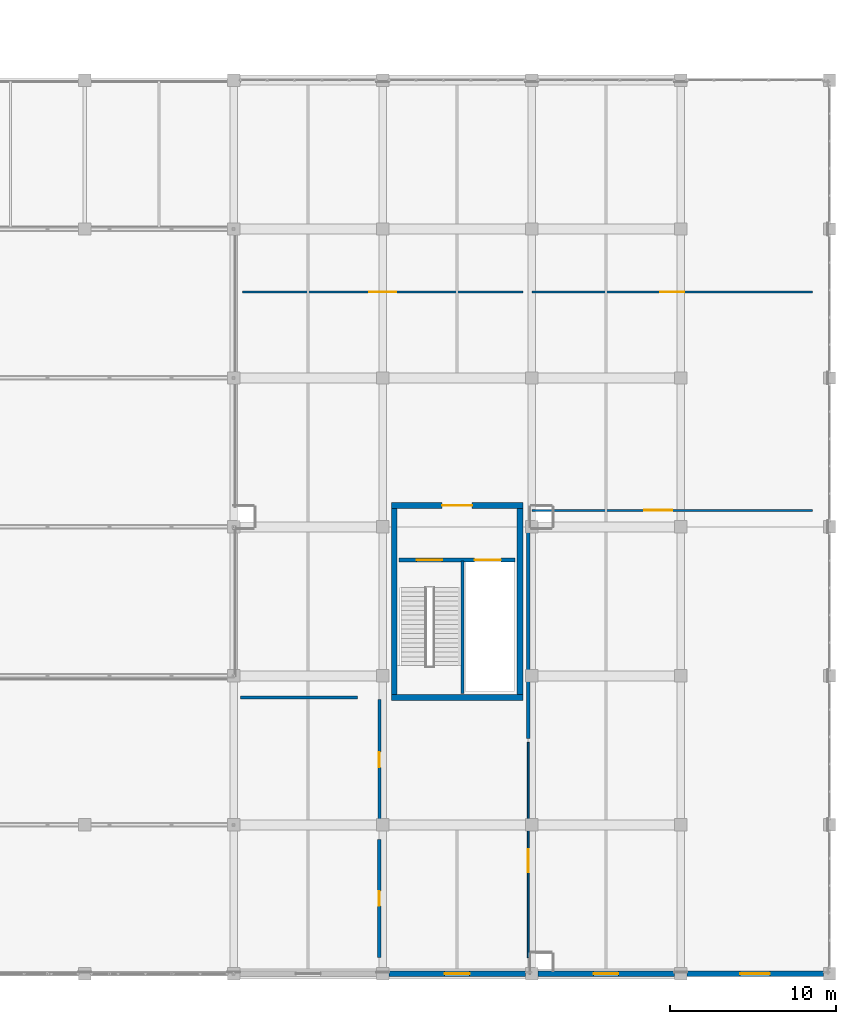
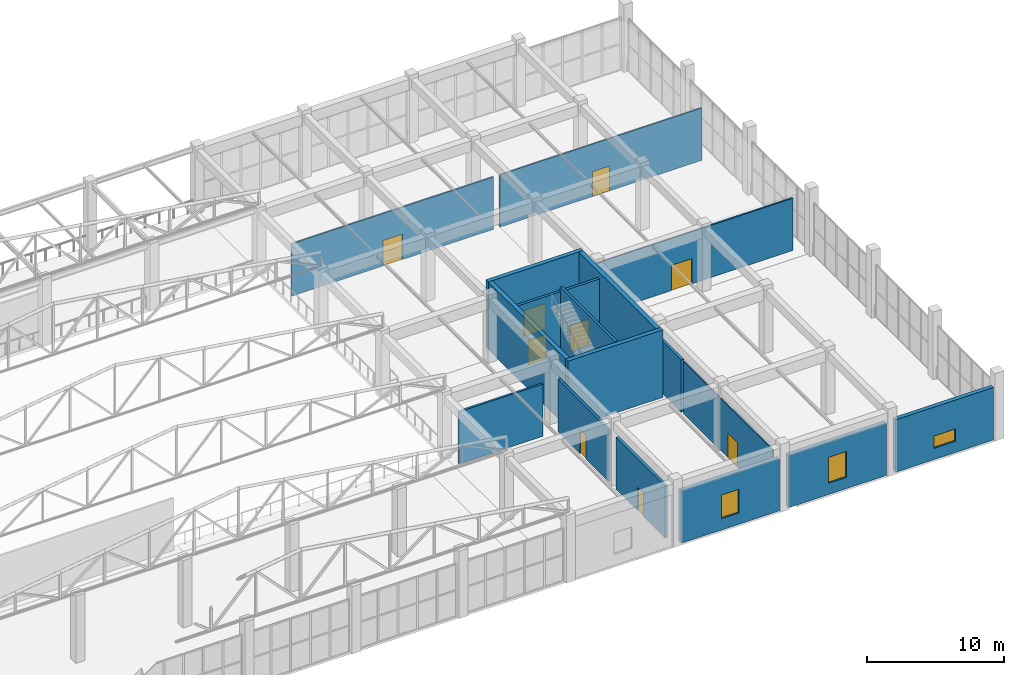
# One storey, part 193 of 223: 17 walls, 9 doors, 3 windows, 12 openings.
"""IFC4 building model written with IfcOpenShell, lengths in metres."""

import ifcopenshell
import ifcopenshell.guid

model = None  # the IFC model being written
_history = None  # IfcOwnerHistory: only IFC2X3 demands one
_inside = {}  # id of a spatial element -> (the spatial element, [elements in it])
_under = {}  # id of a project, library or spatial element -> (it, [spatial elements below it])
_declared = {}  # id of a project -> (the project, [libraries it declares])
_typed = {}  # id of a type object -> (the type object, [elements of that type])
_made_of = {}  # id of a material, layer set ... -> (it, [elements and type objects made of it])


def new_model(schema):
    """Start an empty IFC model of exactly this schema.

    Asked for "IFC4X3", IfcOpenShell would pick the latest addendum, in which some entities
    have other attributes; the version numbers below select the first issue.
    IFC2X3 requires an IfcOwnerHistory on every rooted entity: one is made here for all.
    """
    global model, _history
    if schema == "IFC4X3":
        model = ifcopenshell.file(schema_version=(4, 3, 0, 0))
    else:
        model = ifcopenshell.file(schema=schema)
    _inside.clear()
    _under.clear()
    _declared.clear()
    _typed.clear()
    _made_of.clear()
    _history = None
    if model.schema == "IFC2X3":
        org = make("IfcOrganization", Name="unknown")
        user = make(
            "IfcPersonAndOrganization",
            ThePerson=make("IfcPerson", FamilyName="unknown"),
            TheOrganization=org,
        )
        app = make(
            "IfcApplication",
            ApplicationDeveloper=org,
            Version="unknown",
            ApplicationFullName="unknown",
            ApplicationIdentifier="unknown",
        )
        _history = make(
            "IfcOwnerHistory",
            OwningUser=user,
            OwningApplication=app,
            ChangeAction="ADDED",
            CreationDate=0,
        )
    return model


def make(cls, **values):
    """One entity of the class cls with the attributes given. An attribute that is None is left unset."""
    return model.create_entity(
        cls, **{name: value for name, value in values.items() if value is not None}
    )


def rooted(cls, **values):
    """An entity with a GlobalId (a new one), such as an element, a storey or a relation."""
    return make(cls, GlobalId=ifcopenshell.guid.new(), OwnerHistory=_history, **values)


def si_unit(unit_type, name, prefix=None):
    """IfcSIUnit, for example si_unit("LENGTHUNIT", "METRE", prefix="MILLI")."""
    return make("IfcSIUnit", UnitType=unit_type, Prefix=prefix, Name=name)


def assignment(units):
    """IfcUnitAssignment: the units of a project."""
    return None if units is None else make("IfcUnitAssignment", Units=units)


def point(xyz):
    """IfcCartesianPoint."""
    return None if xyz is None else make("IfcCartesianPoint", Coordinates=xyz)


def direction(xyz):
    """IfcDirection."""
    return None if xyz is None else make("IfcDirection", DirectionRatios=xyz)


def frame(location, z_axis=None, x_axis=None):
    """IfcAxis2Placement3D, a coordinate frame: its origin and axes. An axis left out is left unset."""
    return make(
        "IfcAxis2Placement3D",
        Location=point(location),
        Axis=direction(z_axis),
        RefDirection=direction(x_axis),
    )


def frame_2d(location, x_axis=None):
    """IfcAxis2Placement2D, a coordinate frame in the plane: its origin and x axis."""
    return make(
        "IfcAxis2Placement2D", Location=point(location), RefDirection=direction(x_axis)
    )


def origin():
    """The frame at (0, 0, 0) with its axes left unset."""
    return frame((0.0, 0.0, 0.0))


def place(relative_to, where):
    """IfcLocalPlacement: puts the frame where relative to a parent placement (None: the world)."""
    return make(
        "IfcLocalPlacement", PlacementRelTo=relative_to, RelativePlacement=where
    )


def context(
    kind, dimensions, precision=None, world=None, true_north=None, identifier=None
):
    """IfcGeometricRepresentationContext, for example the 3D "Model" context."""
    return make(
        "IfcGeometricRepresentationContext",
        ContextIdentifier=identifier,
        ContextType=kind,
        CoordinateSpaceDimension=dimensions,
        Precision=precision,
        WorldCoordinateSystem=world,
        TrueNorth=true_north,
    )


def subcontext(parent, identifier, kind, view, scale=None):
    """IfcGeometricRepresentationSubContext, for example "Body" below "Model"."""
    return make(
        "IfcGeometricRepresentationSubContext",
        ContextIdentifier=identifier,
        ContextType=kind,
        ParentContext=parent,
        TargetScale=scale,
        TargetView=view,
    )


def project(units=None, contexts=None):
    """IfcProject with its units and contexts."""
    return rooted(
        "IfcProject",
        Name="project",
        RepresentationContexts=contexts,
        UnitsInContext=assignment(units),
    )


def spatial(cls, under=None, at=None, **own):
    """A site, building, storey or space (cls), placed at a placement, below another one or the project."""
    s = rooted(cls, ObjectPlacement=at, **own)
    if under is not None:
        _under.setdefault(under.id(), (under, []))[1].append(s)
    return s


def profile(cls, at=None, kind="AREA", **sizes):
    """A parametric profile (cls). Its sizes go by their IFC names, for example OverallWidth=200.0."""
    return make(cls, ProfileType=kind, Position=at, **sizes)


def rectangle(**sizes):
    """IfcRectangleProfileDef."""
    return profile("IfcRectangleProfileDef", **sizes)


def extrude(swept, where, along, depth):
    """IfcExtrudedAreaSolid: the profile swept, set in the frame where, extruded along a direction by depth."""
    return make(
        "IfcExtrudedAreaSolid",
        SweptArea=swept,
        Position=where,
        ExtrudedDirection=direction(along),
        Depth=depth,
    )


def shape(context_of_items, identifier, shape_type, items):
    """IfcShapeRepresentation: the items that make up one representation, for example the "Body"."""
    return make(
        "IfcShapeRepresentation",
        ContextOfItems=context_of_items,
        RepresentationIdentifier=identifier,
        RepresentationType=shape_type,
        Items=items,
    )


def material(Name=None, Category=None):
    """IfcMaterial."""
    return make("IfcMaterial", Name=Name, Category=Category)


def layer(
    of_material, thickness, ventilated=None, Name=None, Category=None, Priority=None
):
    """IfcMaterialLayer: one layer of a wall or slab, of a material (None: an air gap)."""
    return make(
        "IfcMaterialLayer",
        Material=of_material,
        LayerThickness=thickness,
        IsVentilated=ventilated,
        Name=Name,
        Category=Category,
        Priority=Priority,
    )


def layer_set(layers, Name=None):
    """IfcMaterialLayerSet."""
    return make("IfcMaterialLayerSet", MaterialLayers=layers, LayerSetName=Name)


def made_of(thing, what):
    """Note that an element or type object is made of a material, layer set ...; save() writes the relation."""
    if what is not None:
        _made_of.setdefault(what.id(), (what, []))[1].append(thing)
    return thing


def type_object(cls, material=None, **own):
    """A type object (cls), such as IfcWallType, which elements share."""
    return made_of(rooted(cls, **own), material)


def element(
    cls,
    number,
    at=None,
    inside=None,
    cuts=None,
    type_object=None,
    material=None,
    context=None,
    identifier="Body",
    shape_type=None,
    held_by="IfcProductDefinitionShape",
    body=None,
    shapes=None,
    **own,
):
    """One element of the class cls, such as IfcWall. Its Tag is "e" and its number.

    at: its placement. inside: the storey or other place that contains it. cuts: it is an
    opening in that element (IfcRelVoidsElement). A single representation is given by context,
    identifier, shape_type and body (its items); several are given by shapes. held_by: the class
    of the entity that holds the representations. save() writes the other relations.
    """
    e = rooted(cls, Tag="e%d" % number, ObjectPlacement=at, **own)
    if body is not None:
        shapes = [shape(context, identifier, shape_type, body)]
    if shapes is not None:
        e.Representation = make(held_by, Representations=shapes)
    if inside is not None:
        _inside.setdefault(inside.id(), (inside, []))[1].append(e)
    if cuts is not None:
        rooted(
            "IfcRelVoidsElement", RelatingBuildingElement=cuts, RelatedOpeningElement=e
        )
    if type_object is not None:
        _typed.setdefault(type_object.id(), (type_object, []))[1].append(e)
    return made_of(e, material)


def fill(opening, filler):
    """IfcRelFillsElement: the door or window that sits in an opening."""
    return rooted(
        "IfcRelFillsElement",
        RelatingOpeningElement=opening,
        RelatedBuildingElement=filler,
    )


def aggregate(whole, parts):
    """IfcRelAggregates: a whole, such as a stair, and the parts it consists of."""
    return rooted("IfcRelAggregates", RelatingObject=whole, RelatedObjects=parts)


def save(model, path):
    """Write the relations noted so far, then the file.

    IfcRelAggregates (storeys below a building ...), IfcRelContainedInSpatialStructure (elements
    in a storey), IfcRelDefinesByType, IfcRelAssociatesMaterial and IfcRelDeclares: one each for
    every whole, place, type object, material and project.
    """
    for whole, parts in _under.values():
        aggregate(whole, parts)
    for where, things in _inside.values():
        rooted(
            "IfcRelContainedInSpatialStructure",
            RelatedElements=things,
            RelatingStructure=where,
        )
    for kind, things in _typed.values():
        rooted("IfcRelDefinesByType", RelatedObjects=things, RelatingType=kind)
    for what, things in _made_of.values():
        rooted("IfcRelAssociatesMaterial", RelatedObjects=things, RelatingMaterial=what)
    for by, libraries in _declared.values():
        rooted("IfcRelDeclares", RelatingContext=by, RelatedDefinitions=libraries)
    model.write(path)


model = new_model("IFC4")

# Units and contexts
model_context = context("Model", 3, precision=1e-05, world=origin(), true_north=direction((0.0, 1.0)))
body_context = subcontext(model_context, "Body", "Model", "MODEL_VIEW")
ifc_project = project(units=[si_unit("LENGTHUNIT", "METRE"), si_unit("AREAUNIT", "SQUARE_METRE"), si_unit("VOLUMEUNIT", "CUBIC_METRE"), si_unit("PLANEANGLEUNIT", "RADIAN"), si_unit("MASSUNIT", "GRAM", prefix="KILO")], contexts=[model_context])

# Site, building, storey
site_placement = place(None, origin())
site = spatial("IfcSite", under=ifc_project, at=site_placement, CompositionType="ELEMENT")
building_placement = place(site_placement, origin())
building = spatial("IfcBuilding", under=site, at=building_placement, Name="Dornveld Trade and Exhibition Forum", CompositionType="ELEMENT")
storey_placement = place(building_placement, frame((0.0, 0.0, 6.0)))
storey = spatial("IfcBuildingStorey", under=building, at=storey_placement, Name="L01", CompositionType="ELEMENT", Elevation=6.0)

# Wall
ifc_material_1 = material(Name="Concrete C40/50", Category="concrete")
ifc_layer_1 = layer(ifc_material_1, 0.35009765625)
ifc_layer_set_1 = layer_set([ifc_layer_1], Name="Concrete C40/50")
wall_type_1 = type_object("IfcWallType", Name="WL-CORE-350", PredefinedType="SHEAR", material=ifc_layer_set_1)
wall_1_placement = place(storey_placement, frame((207.52490234375, 16.699951171875, 0.0), z_axis=(0.0, 0.0, 1.0), x_axis=(1.0, 0.0, 0.0)))
element("IfcWall", 1, at=wall_1_placement, inside=storey, type_object=wall_type_1, Name="CORE-11 L01 shear wall S", PredefinedType="SHEAR", context=body_context, shape_type="SweptSolid", body=[
    extrude(rectangle(XDim=7.9501953125, YDim=0.35009765625, at=frame_2d((3.97509765625, 0.0))), origin(), (0.0, 0.0, 1.0), 6.0),
])

# Wall, opening, door
wall_2_placement = place(storey_placement, frame((207.52490234375, 28.300048828125, 0.0), z_axis=(0.0, 0.0, 1.0), x_axis=(1.0, 0.0, 0.0)))
wall_2 = element("IfcWall", 2, at=wall_2_placement, inside=storey, type_object=wall_type_1, Name="CORE-11 L01 shear wall N", PredefinedType="SHEAR", context=body_context, shape_type="SweptSolid", body=[
    extrude(rectangle(XDim=7.9501953125, YDim=0.35009765625, at=frame_2d((3.97509765625, 0.0))), origin(), (0.0, 0.0, 1.0), 6.0),
])
opening_1_placement = place(wall_2_placement, frame((3.074951171875, 0.0, 0.0)))
opening_1 = element("IfcOpeningElement", 3, at=opening_1_placement, cuts=wall_2, Name="Opening CD-11-L01", PredefinedType="OPENING", context=body_context, shape_type="SweptSolid", body=[
    extrude(rectangle(XDim=1.800048828125, YDim=2.300048828125, at=frame_2d((0.89990234375, 1.14990234375))), frame((0.0, 0.18505859375, 0.0), z_axis=(0.0, -1.0, 0.0), x_axis=(1.0, 0.0, 0.0)), (0.0, 0.0, 1.0), 0.3701171875),
])
ifc_material_2 = material(Name="Steel fire-rated double door assembly", Category="steel")
door_type_1 = type_object("IfcDoorType", Name="DR-CORE-180x230", OperationType="NOTDEFINED", PredefinedType="DOOR", material=ifc_material_2)
door_1_placement = place(opening_1_placement, origin())
door_1 = element("IfcDoor", 4, at=door_1_placement, inside=storey, type_object=door_type_1, Name="CORE-11 L01 core lobby double fire door", OperationType="DOUBLE_DOOR_SINGLE_SWING", OverallHeight=2.300048828125, OverallWidth=1.800048828125, PredefinedType="DOOR", context=body_context, shape_type="SweptSolid", body=[
    extrude(rectangle(XDim=1.800048828125, YDim=2.300048828125, at=frame_2d((0.89990234375, 1.14990234375))), frame((0.0, 0.02490234375, 0.0), z_axis=(0.0, -1.0, 0.0), x_axis=(1.0, 0.0, 0.0)), (0.0, 0.0, 1.0), 0.050048828125),
])
fill(opening_1, door_1)

# Walls
for number, where, z_axis, x_axis, name in (
    (5, (207.699951171875, 16.875, 0.0), (0.0, 0.0, 1.0), (0.0, 1.0, 0.0), "CORE-11 L01 shear wall W"),
    (6, (215.300048828125, 16.875, 0.0), (0.0, 0.0, 1.0), (0.0, 1.0, 0.0), "CORE-11 L01 shear wall E"),
):
    element("IfcWall", number, at=place(storey_placement, frame(where, z_axis=z_axis, x_axis=x_axis)), inside=storey, type_object=wall_type_1, Name=name, PredefinedType="SHEAR", context=body_context, shape_type="SweptSolid", body=[
        extrude(rectangle(XDim=11.25, YDim=0.35009765625, at=frame_2d((5.625, 0.0))), origin(), (0.0, 0.0, 1.0), 6.0),
    ])

# Wall, opening, window
ifc_material_3 = material(Name="Precast concrete C50/60", Category="concrete")
ifc_layer_2 = layer(ifc_material_3, 0.340087890625)
ifc_layer_set_2 = layer_set([ifc_layer_2], Name="Precast concrete C50/60")
wall_type_2 = type_object("IfcWallType", Name="WL-EXT-PC340", PredefinedType="SOLIDWALL", material=ifc_layer_set_2)
wall_3_placement = place(storey_placement, frame((207.37451171875, 0.0, 0.0), z_axis=(0.0, 0.0, 1.0), x_axis=(1.0, 0.0, 0.0)))
wall_3 = element("IfcWall", 7, at=wall_3_placement, inside=storey, type_object=wall_type_2, Name="L01 precast facade wall 101", PredefinedType="SOLIDWALL", context=body_context, shape_type="SweptSolid", body=[
    extrude(rectangle(XDim=8.2509765625, YDim=0.340087890625, at=frame_2d((4.12548828125, 0.0))), origin(), (0.0, 0.0, 1.0), 4.659912109375),
])
opening_2_placement = place(wall_3_placement, frame((3.37548828125, 0.0, 1.0)))
opening_2 = element("IfcOpeningElement", 8, at=opening_2_placement, cuts=wall_3, Name="Opening W-13", PredefinedType="OPENING", context=body_context, shape_type="SweptSolid", body=[
    extrude(rectangle(XDim=1.5, YDim=2.10009765625, at=frame_2d((0.75, 1.050048828125))), frame((0.0, 0.179931640625, 0.0), z_axis=(0.0, -1.0, 0.0), x_axis=(1.0, 0.0, 0.0)), (0.0, 0.0, 1.0), 0.360107421875),
])
ifc_material_4 = material(Name="Dark-bronze anodised aluminium and low-E glass", Category="aluminium")
window_type_1 = type_object("IfcWindowType", Name="WIN-AL-13", PartitioningType="SINGLE_PANEL", PredefinedType="WINDOW", material=ifc_material_4)
window_1_placement = place(opening_2_placement, origin())
window_1 = element("IfcWindow", 9, at=window_1_placement, inside=storey, type_object=window_type_1, Name="L01 facade window 76", OverallHeight=2.10009765625, OverallWidth=1.5, PartitioningType="SINGLE_PANEL", PredefinedType="WINDOW", context=body_context, shape_type="SweptSolid", body=[
    extrude(rectangle(XDim=1.5, YDim=2.10009765625, at=frame_2d((0.75, 1.050048828125))), frame((0.0, 0.030029296875, 0.0), z_axis=(0.0, -1.0, 0.0), x_axis=(1.0, 0.0, 0.0)), (0.0, 0.0, 1.0), 0.06005859375),
])
fill(opening_2, window_1)

wall_4_placement = place(storey_placement, frame((216.37451171875, 0.0, 0.0), z_axis=(0.0, 0.0, 1.0), x_axis=(1.0, 0.0, 0.0)))
wall_4 = element("IfcWall", 10, at=wall_4_placement, inside=storey, type_object=wall_type_2, Name="L01 precast facade wall 102", PredefinedType="SOLIDWALL", context=body_context, shape_type="SweptSolid", body=[
    extrude(rectangle(XDim=8.2509765625, YDim=0.340087890625, at=frame_2d((4.12548828125, 0.0))), origin(), (0.0, 0.0, 1.0), 4.659912109375),
])
opening_3_placement = place(wall_4_placement, frame((3.37548828125, 0.0, 1.0)))
opening_3 = element("IfcOpeningElement", 11, at=opening_3_placement, cuts=wall_4, Name="Opening W-14", PredefinedType="OPENING", context=body_context, shape_type="SweptSolid", body=[
    extrude(rectangle(XDim=1.5, YDim=2.300048828125, at=frame_2d((0.75, 1.14990234375))), frame((0.0, 0.179931640625, 0.0), z_axis=(0.0, -1.0, 0.0), x_axis=(1.0, 0.0, 0.0)), (0.0, 0.0, 1.0), 0.360107421875),
])
ifc_material_5 = material(Name="Dark-bronze anodised aluminium and low-E glass", Category="aluminium")
window_type_2 = type_object("IfcWindowType", Name="WIN-AL-14", PartitioningType="SINGLE_PANEL", PredefinedType="WINDOW", material=ifc_material_5)
window_2_placement = place(opening_3_placement, origin())
window_2 = element("IfcWindow", 12, at=window_2_placement, inside=storey, type_object=window_type_2, Name="L01 facade window 77", OverallHeight=2.300048828125, OverallWidth=1.5, PartitioningType="SINGLE_PANEL", PredefinedType="WINDOW", context=body_context, shape_type="SweptSolid", body=[
    extrude(rectangle(XDim=1.5, YDim=2.300048828125, at=frame_2d((0.75, 1.14990234375))), frame((0.0, 0.030029296875, 0.0), z_axis=(0.0, -1.0, 0.0), x_axis=(1.0, 0.0, 0.0)), (0.0, 0.0, 1.0), 0.06005859375),
])
fill(opening_3, window_2)

wall_5_placement = place(storey_placement, frame((225.37451171875, 0.0, 0.0), z_axis=(0.0, 0.0, 1.0), x_axis=(1.0, 0.0, 0.0)))
wall_5 = element("IfcWall", 13, at=wall_5_placement, inside=storey, type_object=wall_type_2, Name="L01 precast facade wall 103", PredefinedType="SOLIDWALL", context=body_context, shape_type="SweptSolid", body=[
    extrude(rectangle(XDim=8.2509765625, YDim=0.340087890625, at=frame_2d((4.12548828125, 0.0))), origin(), (0.0, 0.0, 1.0), 4.659912109375),
])
opening_4_placement = place(wall_5_placement, frame((3.2255859375, 0.0, 1.0)))
opening_4 = element("IfcOpeningElement", 14, at=opening_4_placement, cuts=wall_5, Name="Opening W-15", PredefinedType="OPENING", context=body_context, shape_type="SweptSolid", body=[
    extrude(rectangle(XDim=1.800048828125, YDim=1.10009765625, at=frame_2d((0.89990234375, 0.550048828125))), frame((0.0, 0.179931640625, 0.0), z_axis=(0.0, -1.0, 0.0), x_axis=(1.0, 0.0, 0.0)), (0.0, 0.0, 1.0), 0.360107421875),
])
ifc_material_6 = material(Name="Dark-bronze anodised aluminium and low-E glass", Category="aluminium")
window_type_3 = type_object("IfcWindowType", Name="WIN-AL-15", PartitioningType="SINGLE_PANEL", PredefinedType="WINDOW", material=ifc_material_6)
window_3_placement = place(opening_4_placement, origin())
window_3 = element("IfcWindow", 15, at=window_3_placement, inside=storey, type_object=window_type_3, Name="L01 facade window 78", OverallHeight=1.10009765625, OverallWidth=1.800048828125, PartitioningType="SINGLE_PANEL", PredefinedType="WINDOW", context=body_context, shape_type="SweptSolid", body=[
    extrude(rectangle(XDim=1.800048828125, YDim=1.10009765625, at=frame_2d((0.89990234375, 0.550048828125))), frame((0.0, 0.030029296875, 0.0), z_axis=(0.0, -1.0, 0.0), x_axis=(1.0, 0.0, 0.0)), (0.0, 0.0, 1.0), 0.06005859375),
])
fill(opening_4, window_3)

# Wall
ifc_material_7 = material(Name="Acoustic twin-stud gypsum and mineral wool", Category="gypsum")
ifc_layer_3 = layer(ifc_material_7, 0.215087890625)
ifc_layer_set_3 = layer_set([ifc_layer_3], Name="Acoustic twin-stud gypsum and mineral wool")
wall_type_3 = type_object("IfcWallType", Name="WL-INT-AC215", PredefinedType="PARTITIONING", material=ifc_layer_set_3)
wall_6_placement = place(storey_placement, frame((215.800048828125, 14.219970703125, 0.0), z_axis=(0.0, 0.0, 1.0), x_axis=(0.0, 1.0, 0.0)))
element("IfcWall", 16, at=wall_6_placement, inside=storey, type_object=wall_type_3, Name="L01 interior partition 49", PredefinedType="PARTITIONING", context=body_context, shape_type="SweptSolid", body=[
    extrude(rectangle(XDim=12.800048828125, YDim=0.215087890625, at=frame_2d((6.39990234375, 0.0))), origin(), (0.0, 0.0, 1.0), 4.639892578125),
])

# Wall, opening, door
wall_7_placement = place(storey_placement, frame((206.800048828125, 0.97998046875, 0.0), z_axis=(0.0, 0.0, 1.0), x_axis=(0.0, 1.0, 0.0)))
wall_7 = element("IfcWall", 17, at=wall_7_placement, inside=storey, type_object=wall_type_3, Name="L01 interior partition 52", PredefinedType="PARTITIONING", context=body_context, shape_type="SweptSolid", body=[
    extrude(rectangle(XDim=7.14013671875, YDim=0.215087890625, at=frame_2d((3.570068359375, 0.0))), origin(), (0.0, 0.0, 1.0), 4.639892578125),
])
opening_5_placement = place(wall_7_placement, frame((3.1201171875, 0.0, 0.0)))
opening_5 = element("IfcOpeningElement", 18, at=opening_5_placement, cuts=wall_7, Name="Opening WD-04-035", PredefinedType="OPENING", context=body_context, shape_type="SweptSolid", body=[
    extrude(rectangle(XDim=0.89990234375, YDim=2.10009765625, at=frame_2d((0.449951171875, 1.050048828125))), frame((0.0, 0.117431640625, 0.0), z_axis=(0.0, -1.0, 0.0), x_axis=(1.0, 0.0, 0.0)), (0.0, 0.0, 1.0), 0.235107421875),
])
ifc_material_8 = material(Name="Laminate sanitary door", Category="wood")
door_type_2 = type_object("IfcDoorType", Name="DR-WC-090x210", OperationType="NOTDEFINED", PredefinedType="DOOR", material=ifc_material_8)
door_2_placement = place(opening_5_placement, origin())
door_2 = element("IfcDoor", 19, at=door_2_placement, inside=storey, type_object=door_type_2, Name="L01 interior room door 35", OperationType="SINGLE_SWING_LEFT", OverallHeight=2.10009765625, OverallWidth=0.89990234375, PredefinedType="DOOR", context=body_context, shape_type="SweptSolid", body=[
    extrude(rectangle(XDim=0.89990234375, YDim=2.10009765625, at=frame_2d((0.449951171875, 1.050048828125))), frame((0.0, 0.02490234375, 0.0), z_axis=(0.0, -1.0, 0.0), x_axis=(1.0, 0.0, 0.0)), (0.0, 0.0, 1.0), 0.050048828125),
])
fill(opening_5, door_2)

# Wall
ifc_material_9 = material(Name="Fire-rated steel-stud gypsum board", Category="steel")
ifc_layer_4 = layer(ifc_material_9, 0.169921875)
ifc_layer_set_4 = layer_set([ifc_layer_4], Name="Fire-rated steel-stud gypsum board")
wall_type_4 = type_object("IfcWallType", Name="WL-INT-FR170", PredefinedType="PARTITIONING", material=ifc_layer_set_4)
wall_8_placement = place(storey_placement, frame((198.419921875, 16.699951171875, 0.0), z_axis=(0.0, 0.0, 1.0), x_axis=(1.0, 0.0, 0.0)))
element("IfcWall", 20, at=wall_8_placement, inside=storey, type_object=wall_type_4, Name="L01 interior partition 6", PredefinedType="PARTITIONING", context=body_context, shape_type="SweptSolid", body=[
    extrude(rectangle(XDim=7.06005859375, YDim=0.169921875, at=frame_2d((3.530029296875, 0.0))), origin(), (0.0, 0.0, 1.0), 4.639892578125),
])

# Wall, opening, door
ifc_material_10 = material(Name="Fire-rated steel-stud gypsum board", Category="steel")
ifc_layer_5 = layer(ifc_material_10, 0.18505859375)
ifc_layer_set_5 = layer_set([ifc_layer_5], Name="Fire-rated steel-stud gypsum board")
wall_type_5 = type_object("IfcWallType", Name="WL-INT-FR185", PredefinedType="PARTITIONING", material=ifc_layer_set_5)
wall_9_placement = place(storey_placement, frame((206.800048828125, 9.280029296875, 0.0), z_axis=(0.0, 0.0, 1.0), x_axis=(0.0, 1.0, 0.0)))
wall_9 = element("IfcWall", 21, at=wall_9_placement, inside=storey, type_object=wall_type_5, Name="L01 interior partition 53", PredefinedType="PARTITIONING", context=body_context, shape_type="SweptSolid", body=[
    extrude(rectangle(XDim=7.300048828125, YDim=0.18505859375, at=frame_2d((3.64990234375, 0.0))), origin(), (0.0, 0.0, 1.0), 4.639892578125),
])
opening_6_placement = place(wall_9_placement, frame((3.18994140625, 0.0, 0.0)))
opening_6 = element("IfcOpeningElement", 22, at=opening_6_placement, cuts=wall_9, Name="Opening WD-03-036", PredefinedType="OPENING", context=body_context, shape_type="SweptSolid", body=[
    extrude(rectangle(XDim=0.919921875, YDim=2.1201171875, at=frame_2d((0.4599609375, 1.06005859375))), frame((0.0, 0.1025390625, 0.0), z_axis=(0.0, -1.0, 0.0), x_axis=(1.0, 0.0, 0.0)), (0.0, 0.0, 1.0), 0.205078125),
])
ifc_material_11 = material(Name="Laminate sanitary lobby door", Category="wood")
door_type_3 = type_object("IfcDoorType", Name="DR-WC-092x212", OperationType="NOTDEFINED", PredefinedType="DOOR", material=ifc_material_11)
door_3_placement = place(opening_6_placement, origin())
door_3 = element("IfcDoor", 23, at=door_3_placement, inside=storey, type_object=door_type_3, Name="L01 interior room door 36", OperationType="SINGLE_SWING_RIGHT", OverallHeight=2.1201171875, OverallWidth=0.919921875, PredefinedType="DOOR", context=body_context, shape_type="SweptSolid", body=[
    extrude(rectangle(XDim=0.919921875, YDim=2.1201171875, at=frame_2d((0.4599609375, 1.06005859375))), frame((0.0, 0.02490234375, 0.0), z_axis=(0.0, -1.0, 0.0), x_axis=(1.0, 0.0, 0.0)), (0.0, 0.0, 1.0), 0.050048828125),
])
fill(opening_6, door_3)

ifc_material_12 = material(Name="Framed acoustic glass office partition", Category="glass")
ifc_layer_6 = layer(ifc_material_12, 0.10498046875)
ifc_layer_set_6 = layer_set([ifc_layer_6], Name="Framed acoustic glass office partition")
wall_type_6 = type_object("IfcWallType", Name="WL-INT-GL105", PredefinedType="PARTITIONING", material=ifc_layer_set_6)
wall_10_placement = place(storey_placement, frame((215.800048828125, 0.97998046875, 0.0), z_axis=(0.0, 0.0, 1.0), x_axis=(0.0, 1.0, 0.0)))
wall_10 = element("IfcWall", 24, at=wall_10_placement, inside=storey, type_object=wall_type_6, Name="L01 interior partition 48", PredefinedType="PARTITIONING", context=body_context, shape_type="SweptSolid", body=[
    extrude(rectangle(XDim=13.0, YDim=0.10498046875, at=frame_2d((6.5, 0.0))), origin(), (0.0, 0.0, 1.0), 4.639892578125),
])
opening_7_placement = place(wall_10_placement, frame((5.14990234375, 0.0, 0.0)))
opening_7 = element("IfcOpeningElement", 25, at=opening_7_placement, cuts=wall_10, Name="Opening MRD-05-032", PredefinedType="OPENING", context=body_context, shape_type="SweptSolid", body=[
    extrude(rectangle(XDim=1.39990234375, YDim=2.199951171875, at=frame_2d((0.699951171875, 1.10009765625))), frame((0.0, 0.0625, 0.0), z_axis=(0.0, -1.0, 0.0), x_axis=(1.0, 0.0, 0.0)), (0.0, 0.0, 1.0), 0.125),
])
ifc_material_13 = material(Name="Acoustic timber meeting-room leaf-and-half door", Category="wood")
door_type_4 = type_object("IfcDoorType", Name="DR-MEET-140x220", OperationType="NOTDEFINED", PredefinedType="DOOR", material=ifc_material_13)
door_4_placement = place(opening_7_placement, origin())
door_4 = element("IfcDoor", 26, at=door_4_placement, inside=storey, type_object=door_type_4, Name="L01 interior room door 32", OperationType="SINGLE_SWING_RIGHT", OverallHeight=2.199951171875, OverallWidth=1.39990234375, PredefinedType="DOOR", context=body_context, shape_type="SweptSolid", body=[
    extrude(rectangle(XDim=1.39990234375, YDim=2.199951171875, at=frame_2d((0.699951171875, 1.10009765625))), frame((0.0, 0.02490234375, 0.0), z_axis=(0.0, -1.0, 0.0), x_axis=(1.0, 0.0, 0.0)), (0.0, 0.0, 1.0), 0.050048828125),
])
fill(opening_7, door_4)

# Wall, openings, doors
ifc_material_14 = material(Name="Concrete C40/50", Category="concrete")
ifc_layer_7 = layer(ifc_material_14, 0.219970703125)
ifc_layer_set_7 = layer_set([ifc_layer_7], Name="Concrete C40/50")
wall_type_7 = type_object("IfcWallType", Name="WL-INT-LOB220", PredefinedType="SOLIDWALL", material=ifc_layer_set_7)
wall_11_placement = place(storey_placement, frame((208.0, 25.0, 0.0), z_axis=(0.0, 0.0, 1.0), x_axis=(1.0, 0.0, 0.0)))
wall_11 = element("IfcWall", 27, at=wall_11_placement, inside=storey, type_object=wall_type_7, Name="CORE-11 L01 protected lobby bulkhead wall", PredefinedType="SOLIDWALL", context=body_context, shape_type="SweptSolid", body=[
    extrude(rectangle(XDim=7.0, YDim=0.219970703125, at=frame_2d((3.5, 0.0))), origin(), (0.0, 0.0, 1.0), 5.6201171875),
])
opening_8_placement = place(wall_11_placement, frame((1.050048828125, 0.0, 0.0)))
opening_8 = element("IfcOpeningElement", 28, at=opening_8_placement, cuts=wall_11, Name="Opening SD-11-L01", PredefinedType="OPENING", context=body_context, shape_type="SweptSolid", body=[
    extrude(rectangle(XDim=1.550048828125, YDim=2.199951171875, at=frame_2d((0.77490234375, 1.10009765625))), frame((0.0, 0.119873046875, 0.0), z_axis=(0.0, -1.0, 0.0), x_axis=(1.0, 0.0, 0.0)), (0.0, 0.0, 1.0), 0.239990234375),
])
opening_9_placement = place(wall_11_placement, frame((4.550048828125, 0.0, 0.0)))
opening_9 = element("IfcOpeningElement", 29, at=opening_9_placement, cuts=wall_11, Name="Opening LD-11-L01", PredefinedType="OPENING", context=body_context, shape_type="SweptSolid", body=[
    extrude(rectangle(XDim=1.60009765625, YDim=2.300048828125, at=frame_2d((0.800048828125, 1.14990234375))), frame((0.0, 0.119873046875, 0.0), z_axis=(0.0, -1.0, 0.0), x_axis=(1.0, 0.0, 0.0)), (0.0, 0.0, 1.0), 0.239990234375),
])
ifc_material_15 = material(Name="Heavy-duty steel sliding freight lift landing door", Category="steel")
door_type_5 = type_object("IfcDoorType", Name="DR-LIFT-160x230", OperationType="NOTDEFINED", PredefinedType="DOOR", material=ifc_material_15)
door_5_placement = place(opening_9_placement, origin())
door_5 = element("IfcDoor", 30, at=door_5_placement, inside=storey, type_object=door_type_5, Name="CORE-11 L01 lift sliding landing door", OperationType="SLIDING_TO_LEFT", OverallHeight=2.300048828125, OverallWidth=1.60009765625, PredefinedType="DOOR", context=body_context, shape_type="SweptSolid", body=[
    extrude(rectangle(XDim=1.60009765625, YDim=2.300048828125, at=frame_2d((0.800048828125, 1.14990234375))), frame((0.0, 0.02490234375, 0.0), z_axis=(0.0, -1.0, 0.0), x_axis=(1.0, 0.0, 0.0)), (0.0, 0.0, 1.0), 0.050048828125),
])
fill(opening_9, door_5)
ifc_material_16 = material(Name="Steel fire-rated stair door assembly", Category="steel")
door_type_6 = type_object("IfcDoorType", Name="DR-STAIR-155x220", OperationType="NOTDEFINED", PredefinedType="DOOR", material=ifc_material_16)
door_6_placement = place(opening_8_placement, origin())
door_6 = element("IfcDoor", 31, at=door_6_placement, inside=storey, type_object=door_type_6, Name="CORE-11 L01 protected stair door", OperationType="SINGLE_SWING_LEFT", OverallHeight=2.199951171875, OverallWidth=1.550048828125, PredefinedType="DOOR", context=body_context, shape_type="SweptSolid", body=[
    extrude(rectangle(XDim=1.550048828125, YDim=2.199951171875, at=frame_2d((0.77490234375, 1.10009765625))), frame((0.0, 0.02490234375, 0.0), z_axis=(0.0, -1.0, 0.0), x_axis=(1.0, 0.0, 0.0)), (0.0, 0.0, 1.0), 0.050048828125),
])
fill(opening_8, door_6)

# Wall
ifc_material_17 = material(Name="Concrete C40/50", Category="concrete")
ifc_layer_8 = layer(ifc_material_17, 0.199951171875)
ifc_layer_set_8 = layer_set([ifc_layer_8], Name="Concrete C40/50")
wall_type_8 = type_object("IfcWallType", Name="WL-INT-SHAFT200", PredefinedType="SOLIDWALL", material=ifc_layer_set_8)
wall_12_placement = place(storey_placement, frame((211.820068359375, 16.949951171875, 0.0), z_axis=(0.0, 0.0, 1.0), x_axis=(0.0, 1.0, 0.0)))
element("IfcWall", 32, at=wall_12_placement, inside=storey, type_object=wall_type_8, Name="CORE-11 L01 lift-stair structural shaft wall", PredefinedType="SOLIDWALL", context=body_context, shape_type="SweptSolid", body=[
    extrude(rectangle(XDim=8.0, YDim=0.199951171875, at=frame_2d((4.0, 0.0))), origin(), (0.0, 0.0, 1.0), 6.0),
])

# Wall, opening, door
ifc_material_18 = material(Name="Steel-stud gypsum partition", Category="steel")
ifc_layer_9 = layer(ifc_material_18, 0.135009765625)
ifc_layer_set_9 = layer_set([ifc_layer_9], Name="Steel-stud gypsum partition")
wall_type_9 = type_object("IfcWallType", Name="WL-INT-ST135", PredefinedType="PARTITIONING", material=ifc_layer_set_9)
wall_13_placement = place(storey_placement, frame((216.02001953125, 28.0, 0.0), z_axis=(0.0, 0.0, 1.0), x_axis=(1.0, 0.0, 0.0)))
wall_13 = element("IfcWall", 33, at=wall_13_placement, inside=storey, type_object=wall_type_9, Name="L01 interior partition 45", PredefinedType="PARTITIONING", context=body_context, shape_type="SweptSolid", body=[
    extrude(rectangle(XDim=16.9599609375, YDim=0.135009765625, at=frame_2d((8.47998046875, 0.0))), origin(), (0.0, 0.0, 1.0), 4.639892578125),
])
opening_10_placement = place(wall_13_placement, frame((6.781982421875, 0.0, 0.0)))
opening_10 = element("IfcOpeningElement", 34, at=opening_10_placement, cuts=wall_13, Name="Opening MRD-02-029", PredefinedType="OPENING", context=body_context, shape_type="SweptSolid", body=[
    extrude(rectangle(XDim=1.699951171875, YDim=2.25, at=frame_2d((0.85009765625, 1.125))), frame((0.0, 0.077392578125, 0.0), z_axis=(0.0, -1.0, 0.0), x_axis=(1.0, 0.0, 0.0)), (0.0, 0.0, 1.0), 0.155029296875),
])
ifc_material_19 = material(Name="Acoustic timber meeting-room double door", Category="wood")
door_type_7 = type_object("IfcDoorType", Name="DR-MEET-170x225", OperationType="NOTDEFINED", PredefinedType="DOOR", material=ifc_material_19)
door_7_placement = place(opening_10_placement, origin())
door_7 = element("IfcDoor", 35, at=door_7_placement, inside=storey, type_object=door_type_7, Name="L01 interior room door 29", OperationType="DOUBLE_DOOR_SINGLE_SWING", OverallHeight=2.25, OverallWidth=1.699951171875, PredefinedType="DOOR", context=body_context, shape_type="SweptSolid", body=[
    extrude(rectangle(XDim=1.699951171875, YDim=2.25, at=frame_2d((0.85009765625, 1.125))), frame((0.0, 0.02490234375, 0.0), z_axis=(0.0, -1.0, 0.0), x_axis=(1.0, 0.0, 0.0)), (0.0, 0.0, 1.0), 0.050048828125),
])
fill(opening_10, door_7)

ifc_material_20 = material(Name="Moisture-resistant wet-room partition", Category="gypsum")
ifc_layer_10 = layer(ifc_material_20, 0.114990234375)
ifc_layer_set_10 = layer_set([ifc_layer_10], Name="Moisture-resistant wet-room partition")
wall_type_10 = type_object("IfcWallType", Name="WL-INT-WC115", PredefinedType="PARTITIONING", material=ifc_layer_set_10)
wall_14_placement = place(storey_placement, frame((216.02001953125, 41.199951171875, 0.0), z_axis=(0.0, 0.0, 1.0), x_axis=(1.0, 0.0, 0.0)))
wall_14 = element("IfcWall", 36, at=wall_14_placement, inside=storey, type_object=wall_type_10, Name="L01 interior partition 47", PredefinedType="PARTITIONING", context=body_context, shape_type="SweptSolid", body=[
    extrude(rectangle(XDim=16.9599609375, YDim=0.114990234375, at=frame_2d((8.47998046875, 0.0))), origin(), (0.0, 0.0, 1.0), 4.639892578125),
])
opening_11_placement = place(wall_14_placement, frame((7.7548828125, 0.0, 0.0)))
opening_11 = element("IfcOpeningElement", 37, at=opening_11_placement, cuts=wall_14, Name="Opening MRD-04-031", PredefinedType="OPENING", context=body_context, shape_type="SweptSolid", body=[
    extrude(rectangle(XDim=1.449951171875, YDim=2.199951171875, at=frame_2d((0.72509765625, 1.10009765625))), frame((0.0, 0.0673828125, 0.0), z_axis=(0.0, -1.0, 0.0), x_axis=(1.0, 0.0, 0.0)), (0.0, 0.0, 1.0), 0.135009765625),
])
ifc_material_21 = material(Name="Acoustic timber meeting-room leaf-and-half door", Category="wood")
door_type_8 = type_object("IfcDoorType", Name="DR-MEET-145x220", OperationType="NOTDEFINED", PredefinedType="DOOR", material=ifc_material_21)
door_8_placement = place(opening_11_placement, origin())
door_8 = element("IfcDoor", 38, at=door_8_placement, inside=storey, type_object=door_type_8, Name="L01 interior room door 31", OperationType="SINGLE_SWING_LEFT", OverallHeight=2.199951171875, OverallWidth=1.449951171875, PredefinedType="DOOR", context=body_context, shape_type="SweptSolid", body=[
    extrude(rectangle(XDim=1.449951171875, YDim=2.199951171875, at=frame_2d((0.72509765625, 1.10009765625))), frame((0.0, 0.02490234375, 0.0), z_axis=(0.0, -1.0, 0.0), x_axis=(1.0, 0.0, 0.0)), (0.0, 0.0, 1.0), 0.050048828125),
])
fill(opening_11, door_8)

ifc_material_22 = material(Name="Moisture-resistant wet-room partition", Category="gypsum")
ifc_layer_11 = layer(ifc_material_22, 0.125)
ifc_layer_set_11 = layer_set([ifc_layer_11], Name="Moisture-resistant wet-room partition")
wall_type_11 = type_object("IfcWallType", Name="WL-INT-WC125", PredefinedType="PARTITIONING", material=ifc_layer_set_11)
wall_15_placement = place(storey_placement, frame((198.52001953125, 41.199951171875, 0.0), z_axis=(0.0, 0.0, 1.0), x_axis=(1.0, 0.0, 0.0)))
wall_15 = element("IfcWall", 39, at=wall_15_placement, inside=storey, type_object=wall_type_11, Name="L01 interior partition 46", PredefinedType="PARTITIONING", context=body_context, shape_type="SweptSolid", body=[
    extrude(rectangle(XDim=16.9599609375, YDim=0.125, at=frame_2d((8.47998046875, 0.0))), origin(), (0.0, 0.0, 1.0), 4.639892578125),
])
opening_12_placement = place(wall_15_placement, frame((7.655029296875, 0.0, 0.0)))
opening_12 = element("IfcOpeningElement", 40, at=opening_12_placement, cuts=wall_15, Name="Opening MRD-03-030", PredefinedType="OPENING", context=body_context, shape_type="SweptSolid", body=[
    extrude(rectangle(XDim=1.64990234375, YDim=2.25, at=frame_2d((0.824951171875, 1.125))), frame((0.0, 0.072509765625, 0.0), z_axis=(0.0, -1.0, 0.0), x_axis=(1.0, 0.0, 0.0)), (0.0, 0.0, 1.0), 0.14501953125),
])
ifc_material_23 = material(Name="Acoustic timber meeting-room double door", Category="wood")
door_type_9 = type_object("IfcDoorType", Name="DR-MEET-165x225", OperationType="NOTDEFINED", PredefinedType="DOOR", material=ifc_material_23)
door_9_placement = place(opening_12_placement, origin())
door_9 = element("IfcDoor", 41, at=door_9_placement, inside=storey, type_object=door_type_9, Name="L01 interior room door 30", OperationType="SINGLE_SWING_RIGHT", OverallHeight=2.25, OverallWidth=1.64990234375, PredefinedType="DOOR", context=body_context, shape_type="SweptSolid", body=[
    extrude(rectangle(XDim=1.64990234375, YDim=2.25, at=frame_2d((0.824951171875, 1.125))), frame((0.0, 0.02490234375, 0.0), z_axis=(0.0, -1.0, 0.0), x_axis=(1.0, 0.0, 0.0)), (0.0, 0.0, 1.0), 0.050048828125),
])
fill(opening_12, door_9)

save(model, "model.ifc")
